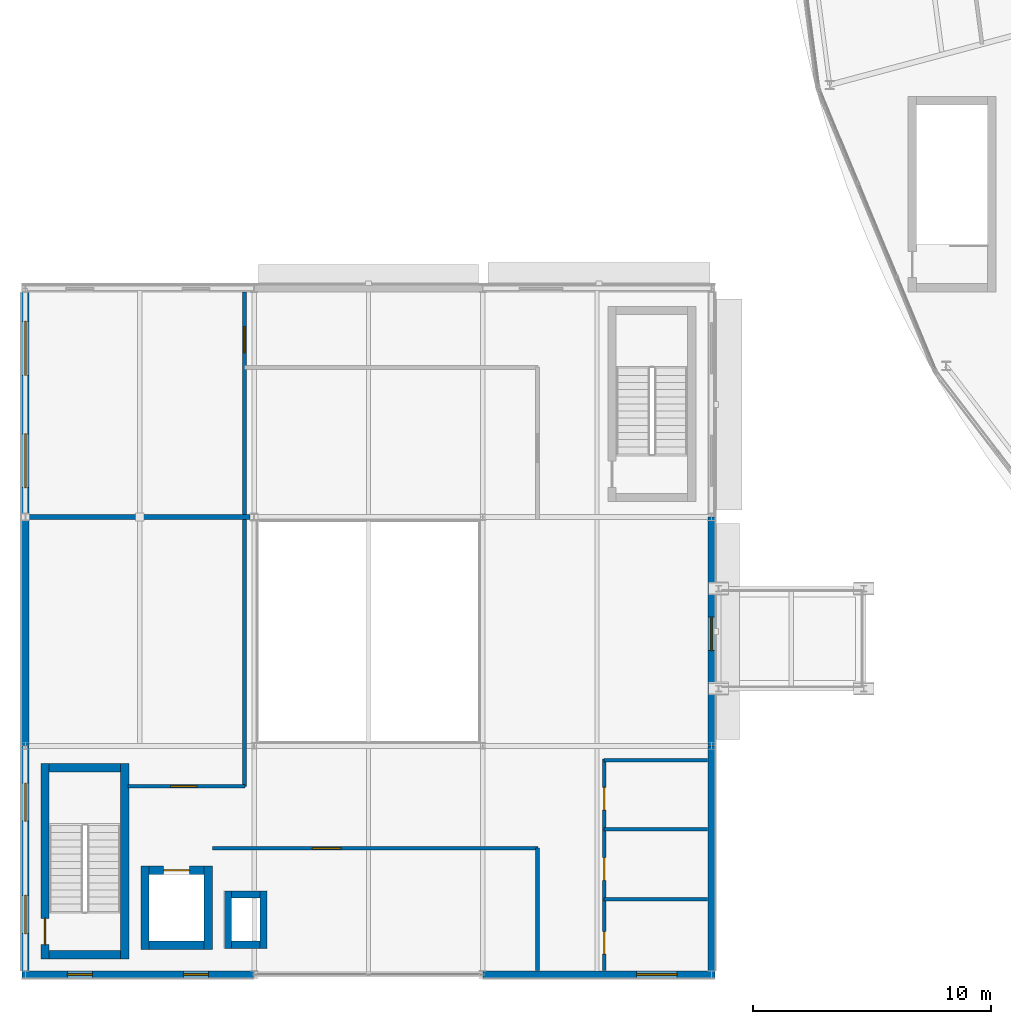
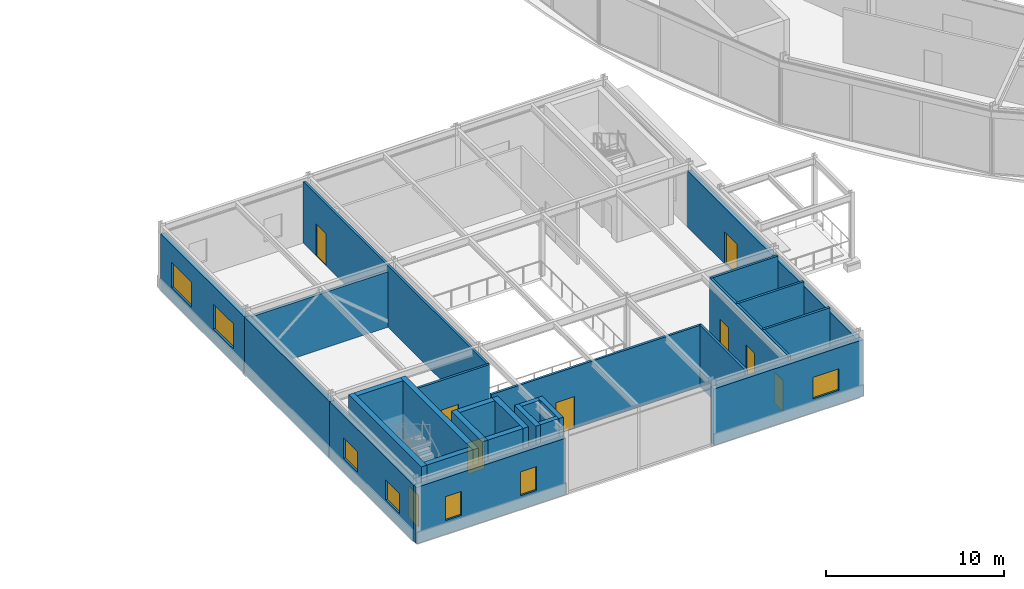
# One storey, part 116 of 157: 28 walls, 9 doors, 7 windows, 16 openings.
"""IFC4 building model written with IfcOpenShell, lengths in metres."""

import ifcopenshell
import ifcopenshell.guid

model = None  # the IFC model being written
_history = None  # IfcOwnerHistory: only IFC2X3 demands one
_inside = {}  # id of a spatial element -> (the spatial element, [elements in it])
_under = {}  # id of a project, library or spatial element -> (it, [spatial elements below it])
_declared = {}  # id of a project -> (the project, [libraries it declares])
_typed = {}  # id of a type object -> (the type object, [elements of that type])
_made_of = {}  # id of a material, layer set ... -> (it, [elements and type objects made of it])


def new_model(schema):
    """Start an empty IFC model of exactly this schema.

    Asked for "IFC4X3", IfcOpenShell would pick the latest addendum, in which some entities
    have other attributes; the version numbers below select the first issue.
    IFC2X3 requires an IfcOwnerHistory on every rooted entity: one is made here for all.
    """
    global model, _history
    if schema == "IFC4X3":
        model = ifcopenshell.file(schema_version=(4, 3, 0, 0))
    else:
        model = ifcopenshell.file(schema=schema)
    _inside.clear()
    _under.clear()
    _declared.clear()
    _typed.clear()
    _made_of.clear()
    _history = None
    if model.schema == "IFC2X3":
        org = make("IfcOrganization", Name="unknown")
        user = make(
            "IfcPersonAndOrganization",
            ThePerson=make("IfcPerson", FamilyName="unknown"),
            TheOrganization=org,
        )
        app = make(
            "IfcApplication",
            ApplicationDeveloper=org,
            Version="unknown",
            ApplicationFullName="unknown",
            ApplicationIdentifier="unknown",
        )
        _history = make(
            "IfcOwnerHistory",
            OwningUser=user,
            OwningApplication=app,
            ChangeAction="ADDED",
            CreationDate=0,
        )
    return model


def make(cls, **values):
    """One entity of the class cls with the attributes given. An attribute that is None is left unset."""
    return model.create_entity(
        cls, **{name: value for name, value in values.items() if value is not None}
    )


def rooted(cls, **values):
    """An entity with a GlobalId (a new one), such as an element, a storey or a relation."""
    return make(cls, GlobalId=ifcopenshell.guid.new(), OwnerHistory=_history, **values)


def si_unit(unit_type, name, prefix=None):
    """IfcSIUnit, for example si_unit("LENGTHUNIT", "METRE", prefix="MILLI")."""
    return make("IfcSIUnit", UnitType=unit_type, Prefix=prefix, Name=name)


def assignment(units):
    """IfcUnitAssignment: the units of a project."""
    return None if units is None else make("IfcUnitAssignment", Units=units)


def point(xyz):
    """IfcCartesianPoint."""
    return None if xyz is None else make("IfcCartesianPoint", Coordinates=xyz)


def direction(xyz):
    """IfcDirection."""
    return None if xyz is None else make("IfcDirection", DirectionRatios=xyz)


def frame(location, z_axis=None, x_axis=None):
    """IfcAxis2Placement3D, a coordinate frame: its origin and axes. An axis left out is left unset."""
    return make(
        "IfcAxis2Placement3D",
        Location=point(location),
        Axis=direction(z_axis),
        RefDirection=direction(x_axis),
    )


def frame_2d(location, x_axis=None):
    """IfcAxis2Placement2D, a coordinate frame in the plane: its origin and x axis."""
    return make(
        "IfcAxis2Placement2D", Location=point(location), RefDirection=direction(x_axis)
    )


def origin():
    """The frame at (0, 0, 0) with its axes left unset."""
    return frame((0.0, 0.0, 0.0))


def place(relative_to, where):
    """IfcLocalPlacement: puts the frame where relative to a parent placement (None: the world)."""
    return make(
        "IfcLocalPlacement", PlacementRelTo=relative_to, RelativePlacement=where
    )


def context(
    kind, dimensions, precision=None, world=None, true_north=None, identifier=None
):
    """IfcGeometricRepresentationContext, for example the 3D "Model" context."""
    return make(
        "IfcGeometricRepresentationContext",
        ContextIdentifier=identifier,
        ContextType=kind,
        CoordinateSpaceDimension=dimensions,
        Precision=precision,
        WorldCoordinateSystem=world,
        TrueNorth=true_north,
    )


def subcontext(parent, identifier, kind, view, scale=None):
    """IfcGeometricRepresentationSubContext, for example "Body" below "Model"."""
    return make(
        "IfcGeometricRepresentationSubContext",
        ContextIdentifier=identifier,
        ContextType=kind,
        ParentContext=parent,
        TargetScale=scale,
        TargetView=view,
    )


def project(units=None, contexts=None):
    """IfcProject with its units and contexts."""
    return rooted(
        "IfcProject",
        Name="project",
        RepresentationContexts=contexts,
        UnitsInContext=assignment(units),
    )


def spatial(cls, under=None, at=None, **own):
    """A site, building, storey or space (cls), placed at a placement, below another one or the project."""
    s = rooted(cls, ObjectPlacement=at, **own)
    if under is not None:
        _under.setdefault(under.id(), (under, []))[1].append(s)
    return s


def profile(cls, at=None, kind="AREA", **sizes):
    """A parametric profile (cls). Its sizes go by their IFC names, for example OverallWidth=200.0."""
    return make(cls, ProfileType=kind, Position=at, **sizes)


def rectangle(**sizes):
    """IfcRectangleProfileDef."""
    return profile("IfcRectangleProfileDef", **sizes)


def extrude(swept, where, along, depth):
    """IfcExtrudedAreaSolid: the profile swept, set in the frame where, extruded along a direction by depth."""
    return make(
        "IfcExtrudedAreaSolid",
        SweptArea=swept,
        Position=where,
        ExtrudedDirection=direction(along),
        Depth=depth,
    )


def shape(context_of_items, identifier, shape_type, items):
    """IfcShapeRepresentation: the items that make up one representation, for example the "Body"."""
    return make(
        "IfcShapeRepresentation",
        ContextOfItems=context_of_items,
        RepresentationIdentifier=identifier,
        RepresentationType=shape_type,
        Items=items,
    )


def material(Name=None, Category=None):
    """IfcMaterial."""
    return make("IfcMaterial", Name=Name, Category=Category)


def layer(
    of_material, thickness, ventilated=None, Name=None, Category=None, Priority=None
):
    """IfcMaterialLayer: one layer of a wall or slab, of a material (None: an air gap)."""
    return make(
        "IfcMaterialLayer",
        Material=of_material,
        LayerThickness=thickness,
        IsVentilated=ventilated,
        Name=Name,
        Category=Category,
        Priority=Priority,
    )


def layer_set(layers, Name=None):
    """IfcMaterialLayerSet."""
    return make("IfcMaterialLayerSet", MaterialLayers=layers, LayerSetName=Name)


def made_of(thing, what):
    """Note that an element or type object is made of a material, layer set ...; save() writes the relation."""
    if what is not None:
        _made_of.setdefault(what.id(), (what, []))[1].append(thing)
    return thing


def type_object(cls, material=None, **own):
    """A type object (cls), such as IfcWallType, which elements share."""
    return made_of(rooted(cls, **own), material)


def element(
    cls,
    number,
    at=None,
    inside=None,
    cuts=None,
    type_object=None,
    material=None,
    context=None,
    identifier="Body",
    shape_type=None,
    held_by="IfcProductDefinitionShape",
    body=None,
    shapes=None,
    **own,
):
    """One element of the class cls, such as IfcWall. Its Tag is "e" and its number.

    at: its placement. inside: the storey or other place that contains it. cuts: it is an
    opening in that element (IfcRelVoidsElement). A single representation is given by context,
    identifier, shape_type and body (its items); several are given by shapes. held_by: the class
    of the entity that holds the representations. save() writes the other relations.
    """
    e = rooted(cls, Tag="e%d" % number, ObjectPlacement=at, **own)
    if body is not None:
        shapes = [shape(context, identifier, shape_type, body)]
    if shapes is not None:
        e.Representation = make(held_by, Representations=shapes)
    if inside is not None:
        _inside.setdefault(inside.id(), (inside, []))[1].append(e)
    if cuts is not None:
        rooted(
            "IfcRelVoidsElement", RelatingBuildingElement=cuts, RelatedOpeningElement=e
        )
    if type_object is not None:
        _typed.setdefault(type_object.id(), (type_object, []))[1].append(e)
    return made_of(e, material)


def fill(opening, filler):
    """IfcRelFillsElement: the door or window that sits in an opening."""
    return rooted(
        "IfcRelFillsElement",
        RelatingOpeningElement=opening,
        RelatedBuildingElement=filler,
    )


def aggregate(whole, parts):
    """IfcRelAggregates: a whole, such as a stair, and the parts it consists of."""
    return rooted("IfcRelAggregates", RelatingObject=whole, RelatedObjects=parts)


def save(model, path):
    """Write the relations noted so far, then the file.

    IfcRelAggregates (storeys below a building ...), IfcRelContainedInSpatialStructure (elements
    in a storey), IfcRelDefinesByType, IfcRelAssociatesMaterial and IfcRelDeclares: one each for
    every whole, place, type object, material and project.
    """
    for whole, parts in _under.values():
        aggregate(whole, parts)
    for where, things in _inside.values():
        rooted(
            "IfcRelContainedInSpatialStructure",
            RelatedElements=things,
            RelatingStructure=where,
        )
    for kind, things in _typed.values():
        rooted("IfcRelDefinesByType", RelatedObjects=things, RelatingType=kind)
    for what, things in _made_of.values():
        rooted("IfcRelAssociatesMaterial", RelatedObjects=things, RelatingMaterial=what)
    for by, libraries in _declared.values():
        rooted("IfcRelDeclares", RelatingContext=by, RelatedDefinitions=libraries)
    model.write(path)


model = new_model("IFC4")

# Units and contexts
model_context = context("Model", 3, precision=1e-05, world=origin(), true_north=direction((0.0, 1.0)))
body_context = subcontext(model_context, "Body", "Model", "MODEL_VIEW")
ifc_project = project(units=[si_unit("LENGTHUNIT", "METRE"), si_unit("AREAUNIT", "SQUARE_METRE"), si_unit("VOLUMEUNIT", "CUBIC_METRE"), si_unit("PLANEANGLEUNIT", "RADIAN"), si_unit("MASSUNIT", "GRAM", prefix="KILO")], contexts=[model_context])

# Site, building, storey
site_placement = place(None, origin())
site = spatial("IfcSite", under=ifc_project, at=site_placement, CompositionType="ELEMENT")
building_placement = place(site_placement, origin())
building = spatial("IfcBuilding", under=site, at=building_placement, Name="Almandine Court Research Institute", CompositionType="ELEMENT")
storey_placement = place(building_placement, frame((0.0, 0.0, 5.25)))
storey = spatial("IfcBuildingStorey", under=building, at=storey_placement, Name="L01", CompositionType="ELEMENT", Elevation=5.25)

# Wall, openings, windows
ifc_material_1 = material(Name="Acoustic Lecture Pavilion Masonry Wall", Category="masonry")
ifc_layer_1 = layer(ifc_material_1, 0.31005859375)
ifc_layer_set_1 = layer_set([ifc_layer_1], Name="Acoustic Lecture Pavilion Masonry Wall")
wall_type_1 = type_object("IfcWallType", Name="Wall-EXT-ACOU-310", PredefinedType="SOLIDWALL", material=ifc_layer_set_1)
wall_1_placement = place(storey_placement, frame((6.0, 6.158935546875, 0.0), z_axis=(0.0, 0.0, 1.0), x_axis=(0.0, 1.0, 0.0)))
wall_1 = element("IfcWall", 1, at=wall_1_placement, inside=storey, type_object=wall_type_1, Name="L01 Lecture Pavilion West Acoustic Wall 1", PredefinedType="SOLIDWALL", context=body_context, shape_type="SweptSolid", body=[
    extrude(rectangle(XDim=9.43701171875, YDim=0.31005859375, at=frame_2d((4.718505859375, 0.0))), origin(), (0.0, 0.0, 1.0), 3.884033203125),
])
opening_1_placement = place(wall_1_placement, frame((1.55908203125, 0.0, 0.949951171875)))
opening_1 = element("IfcOpeningElement", 2, at=opening_1_placement, cuts=wall_1, Name="Opening WN-06", PredefinedType="OPENING", context=body_context, shape_type="SweptSolid", body=[
    extrude(rectangle(XDim=1.60009765625, YDim=1.39990234375, at=frame_2d((0.800048828125, 0.699951171875))), frame((0.0, 0.1650390625, 0.0), z_axis=(0.0, -1.0, 0.0), x_axis=(1.0, 0.0, 0.0)), (0.0, 0.0, 1.0), 0.330078125),
])
opening_2_placement = place(wall_1_placement, frame((6.278076171875, 0.0, 0.949951171875)))
opening_2 = element("IfcOpeningElement", 3, at=opening_2_placement, cuts=wall_1, Name="Opening WN-06", PredefinedType="OPENING", context=body_context, shape_type="SweptSolid", body=[
    extrude(rectangle(XDim=1.60009765625, YDim=1.39990234375, at=frame_2d((0.800048828125, 0.699951171875))), frame((0.0, 0.1650390625, 0.0), z_axis=(0.0, -1.0, 0.0), x_axis=(1.0, 0.0, 0.0)), (0.0, 0.0, 1.0), 0.330078125),
])
ifc_material_2 = material(Name="Thermally Broken Low-E Double-Glazed Window", Category="glass")
window_type_1 = type_object("IfcWindowType", Name="Win-WN-06-1600x1400", PartitioningType="SINGLE_PANEL", PredefinedType="WINDOW", material=ifc_material_2)
window_1_placement = place(opening_1_placement, origin())
window_1 = element("IfcWindow", 4, at=window_1_placement, inside=storey, type_object=window_type_1, Name="L01 Modular Recessed Low-E Window 10", OverallHeight=1.39990234375, OverallWidth=1.60009765625, PartitioningType="SINGLE_PANEL", PredefinedType="WINDOW", context=body_context, shape_type="SweptSolid", body=[
    extrude(rectangle(XDim=1.60009765625, YDim=1.39990234375, at=frame_2d((0.800048828125, 0.699951171875))), frame((0.0, 0.030029296875, 0.0), z_axis=(0.0, -1.0, 0.0), x_axis=(1.0, 0.0, 0.0)), (0.0, 0.0, 1.0), 0.06005859375),
])
fill(opening_1, window_1)
window_2_placement = place(opening_2_placement, origin())
window_2 = element("IfcWindow", 5, at=window_2_placement, inside=storey, type_object=window_type_1, Name="L01 Modular Recessed Low-E Window 11", OverallHeight=1.39990234375, OverallWidth=1.60009765625, PartitioningType="SINGLE_PANEL", PredefinedType="WINDOW", context=body_context, shape_type="SweptSolid", body=[
    extrude(rectangle(XDim=1.60009765625, YDim=1.39990234375, at=frame_2d((0.800048828125, 0.699951171875))), frame((0.0, 0.030029296875, 0.0), z_axis=(0.0, -1.0, 0.0), x_axis=(1.0, 0.0, 0.0)), (0.0, 0.0, 1.0), 0.06005859375),
])
fill(opening_2, window_2)

# Wall
wall_2_placement = place(storey_placement, frame((6.0, 15.60400390625, 0.0), z_axis=(0.0, 0.0, 1.0), x_axis=(0.0, 1.0, 0.0)))
element("IfcWall", 6, at=wall_2_placement, inside=storey, type_object=wall_type_1, Name="L01 Lecture Pavilion West Acoustic Wall 2", PredefinedType="SOLIDWALL", context=body_context, shape_type="SweptSolid", body=[
    extrude(rectangle(XDim=9.592041015625, YDim=0.31005859375, at=frame_2d((4.7958984375, 0.0))), origin(), (0.0, 0.0, 1.0), 3.884033203125),
])

# Wall, openings, windows
wall_3_placement = place(storey_placement, frame((6.0, 25.2041015625, 0.0), z_axis=(0.0, 0.0, 1.0), x_axis=(0.0, 1.0, 0.0)))
wall_3 = element("IfcWall", 7, at=wall_3_placement, inside=storey, type_object=wall_type_1, Name="L01 Lecture Pavilion West Acoustic Wall 3", PredefinedType="SOLIDWALL", context=body_context, shape_type="SweptSolid", body=[
    extrude(rectangle(XDim=9.43701171875, YDim=0.31005859375, at=frame_2d((4.718505859375, 0.0))), origin(), (0.0, 0.0, 1.0), 3.884033203125),
])
opening_3_placement = place(wall_3_placement, frame((1.22900390625, 0.0, 0.949951171875)))
opening_3 = element("IfcOpeningElement", 8, at=opening_3_placement, cuts=wall_3, Name="Opening WN-07", PredefinedType="OPENING", context=body_context, shape_type="SweptSolid", body=[
    extrude(rectangle(XDim=2.260009765625, YDim=1.719970703125, at=frame_2d((1.1298828125, 0.85986328125))), frame((0.0, 0.1650390625, 0.0), z_axis=(0.0, -1.0, 0.0), x_axis=(1.0, 0.0, 0.0)), (0.0, 0.0, 1.0), 0.330078125),
])
opening_4_placement = place(wall_3_placement, frame((5.947998046875, 0.0, 0.949951171875)))
opening_4 = element("IfcOpeningElement", 9, at=opening_4_placement, cuts=wall_3, Name="Opening WN-07", PredefinedType="OPENING", context=body_context, shape_type="SweptSolid", body=[
    extrude(rectangle(XDim=2.260009765625, YDim=1.719970703125, at=frame_2d((1.1298828125, 0.85986328125))), frame((0.0, 0.1650390625, 0.0), z_axis=(0.0, -1.0, 0.0), x_axis=(1.0, 0.0, 0.0)), (0.0, 0.0, 1.0), 0.330078125),
])
window_type_2 = type_object("IfcWindowType", Name="Win-WN-07-2260x1720", PartitioningType="SINGLE_PANEL", PredefinedType="WINDOW", material=ifc_material_2)
window_3_placement = place(opening_3_placement, origin())
window_3 = element("IfcWindow", 10, at=window_3_placement, inside=storey, type_object=window_type_2, Name="L01 Modular Recessed Low-E Window 12", OverallHeight=1.719970703125, OverallWidth=2.260009765625, PartitioningType="SINGLE_PANEL", PredefinedType="WINDOW", context=body_context, shape_type="SweptSolid", body=[
    extrude(rectangle(XDim=2.260009765625, YDim=1.719970703125, at=frame_2d((1.1298828125, 0.85986328125))), frame((0.0, 0.030029296875, 0.0), z_axis=(0.0, -1.0, 0.0), x_axis=(1.0, 0.0, 0.0)), (0.0, 0.0, 1.0), 0.06005859375),
])
fill(opening_3, window_3)
window_4_placement = place(opening_4_placement, origin())
window_4 = element("IfcWindow", 11, at=window_4_placement, inside=storey, type_object=window_type_2, Name="L01 Modular Recessed Low-E Window 13", OverallHeight=1.719970703125, OverallWidth=2.260009765625, PartitioningType="SINGLE_PANEL", PredefinedType="WINDOW", context=body_context, shape_type="SweptSolid", body=[
    extrude(rectangle(XDim=2.260009765625, YDim=1.719970703125, at=frame_2d((1.1298828125, 0.85986328125))), frame((0.0, 0.030029296875, 0.0), z_axis=(0.0, -1.0, 0.0), x_axis=(1.0, 0.0, 0.0)), (0.0, 0.0, 1.0), 0.06005859375),
])
fill(opening_4, window_4)

# Wall
ifc_material_3 = material(Name="Insulated Ochre Terracotta Rainscreen Wall", Category="masonry")
ifc_layer_2 = layer(ifc_material_3, 0.2900390625)
ifc_layer_set_2 = layer_set([ifc_layer_2], Name="Insulated Ochre Terracotta Rainscreen Wall")
wall_type_2 = type_object("IfcWallType", Name="Wall-EXT-TERR-290", PredefinedType="SOLIDWALL", material=ifc_layer_set_2)
wall_4_placement = place(storey_placement, frame((34.800048828125, 15.595947265625, 0.0), z_axis=(0.0, 0.0, 1.0), x_axis=(0.0, -1.0, 0.0)))
element("IfcWall", 12, at=wall_4_placement, inside=storey, type_object=wall_type_2, Name="L01 Lecture Pavilion East Wall 1", PredefinedType="SOLIDWALL", context=body_context, shape_type="SweptSolid", body=[
    extrude(rectangle(XDim=9.447021484375, YDim=0.2900390625, at=frame_2d((4.7236328125, 0.0))), origin(), (0.0, 0.0, 1.0), 3.884033203125),
])

# Wall, opening, door
wall_5_placement = place(storey_placement, frame((34.800048828125, 25.196044921875, 0.0), z_axis=(0.0, 0.0, 1.0), x_axis=(0.0, -1.0, 0.0)))
wall_5 = element("IfcWall", 13, at=wall_5_placement, inside=storey, type_object=wall_type_2, Name="L01 Lecture Pavilion East Wall 2", PredefinedType="SOLIDWALL", context=body_context, shape_type="SweptSolid", body=[
    extrude(rectangle(XDim=9.592041015625, YDim=0.2900390625, at=frame_2d((4.7958984375, 0.0))), origin(), (0.0, 0.0, 1.0), 3.862060546875),
])
opening_5_placement = place(wall_5_placement, frame((4.199951171875, 0.0, 0.0)))
opening_5 = element("IfcOpeningElement", 14, at=opening_5_placement, cuts=wall_5, Name="Opening TD-01", PredefinedType="OPENING", context=body_context, shape_type="SweptSolid", body=[
    extrude(rectangle(XDim=1.39990234375, YDim=2.199951171875, at=frame_2d((0.699951171875, 1.10009765625))), frame((0.0, 0.155029296875, 0.0), z_axis=(0.0, -1.0, 0.0), x_axis=(1.0, 0.0, 0.0)), (0.0, 0.0, 1.0), 0.31005859375),
])
ifc_material_4 = material(Name="Thermally Broken Glazed Terrace Door")
door_type_1 = type_object("IfcDoorType", Name="Door-TER-1400", OperationType="DOUBLE_DOOR_SINGLE_SWING", PredefinedType="DOOR", material=ifc_material_4)
door_1_placement = place(opening_5_placement, origin())
door_1 = element("IfcDoor", 15, at=door_1_placement, inside=storey, type_object=door_type_1, Name="L01 Southwest Dalan Bridge Door", OperationType="DOUBLE_DOOR_SINGLE_SWING", OverallHeight=2.199951171875, OverallWidth=1.39990234375, PredefinedType="DOOR", context=body_context, shape_type="SweptSolid", body=[
    extrude(rectangle(XDim=1.39990234375, YDim=2.199951171875, at=frame_2d((0.699951171875, 1.10009765625))), frame((0.0, 0.02490234375, 0.0), z_axis=(0.0, -1.0, 0.0), x_axis=(1.0, 0.0, 0.0)), (0.0, 0.0, 1.0), 0.050048828125),
])
fill(opening_5, door_1)

# Wall, openings, windows
wall_6_placement = place(storey_placement, frame((15.595947265625, 6.0, 0.0), z_axis=(0.0, 0.0, 1.0), x_axis=(-1.0, 0.0, 0.0)))
wall_6 = element("IfcWall", 16, at=wall_6_placement, inside=storey, type_object=wall_type_2, Name="L01 Lecture Pavilion South Boulevard Wall 1", PredefinedType="SOLIDWALL", context=body_context, shape_type="SweptSolid", body=[
    extrude(rectangle(XDim=9.740966796875, YDim=0.2900390625, at=frame_2d((4.87060546875, 0.0))), origin(), (0.0, 0.0, 1.0), 3.884033203125),
])
opening_6_placement = place(wall_6_placement, frame((1.909912109375, 0.0, 0.949951171875)))
opening_6 = element("IfcOpeningElement", 17, at=opening_6_placement, cuts=wall_6, Name="Opening WN-11", PredefinedType="OPENING", context=body_context, shape_type="SweptSolid", body=[
    extrude(rectangle(XDim=1.050048828125, YDim=1.639892578125, at=frame_2d((0.52490234375, 0.81982421875))), frame((0.0, 0.155029296875, 0.0), z_axis=(0.0, -1.0, 0.0), x_axis=(1.0, 0.0, 0.0)), (0.0, 0.0, 1.0), 0.31005859375),
])
opening_7_placement = place(wall_6_placement, frame((6.781005859375, 0.0, 0.949951171875)))
opening_7 = element("IfcOpeningElement", 18, at=opening_7_placement, cuts=wall_6, Name="Opening WN-11", PredefinedType="OPENING", context=body_context, shape_type="SweptSolid", body=[
    extrude(rectangle(XDim=1.050048828125, YDim=1.639892578125, at=frame_2d((0.52490234375, 0.81982421875))), frame((0.0, 0.155029296875, 0.0), z_axis=(0.0, -1.0, 0.0), x_axis=(1.0, 0.0, 0.0)), (0.0, 0.0, 1.0), 0.31005859375),
])
window_type_3 = type_object("IfcWindowType", Name="Win-WN-11-1050x1640", PartitioningType="SINGLE_PANEL", PredefinedType="WINDOW", material=ifc_material_2)
window_5_placement = place(opening_6_placement, origin())
window_5 = element("IfcWindow", 19, at=window_5_placement, inside=storey, type_object=window_type_3, Name="L01 Modular Recessed Low-E Window 19", OverallHeight=1.639892578125, OverallWidth=1.050048828125, PartitioningType="SINGLE_PANEL", PredefinedType="WINDOW", context=body_context, shape_type="SweptSolid", body=[
    extrude(rectangle(XDim=1.050048828125, YDim=1.639892578125, at=frame_2d((0.52490234375, 0.81982421875))), frame((0.0, 0.030029296875, 0.0), z_axis=(0.0, -1.0, 0.0), x_axis=(1.0, 0.0, 0.0)), (0.0, 0.0, 1.0), 0.06005859375),
])
fill(opening_6, window_5)
window_6_placement = place(opening_7_placement, origin())
window_6 = element("IfcWindow", 20, at=window_6_placement, inside=storey, type_object=window_type_3, Name="L01 Modular Recessed Low-E Window 20", OverallHeight=1.639892578125, OverallWidth=1.050048828125, PartitioningType="SINGLE_PANEL", PredefinedType="WINDOW", context=body_context, shape_type="SweptSolid", body=[
    extrude(rectangle(XDim=1.050048828125, YDim=1.639892578125, at=frame_2d((0.52490234375, 0.81982421875))), frame((0.0, 0.030029296875, 0.0), z_axis=(0.0, -1.0, 0.0), x_axis=(1.0, 0.0, 0.0)), (0.0, 0.0, 1.0), 0.06005859375),
])
fill(opening_7, window_6)

# Wall, opening, window
wall_7_placement = place(storey_placement, frame((34.945068359375, 6.0, 0.0), z_axis=(0.0, 0.0, 1.0), x_axis=(-1.0, 0.0, 0.0)))
wall_7 = element("IfcWall", 21, at=wall_7_placement, inside=storey, type_object=wall_type_2, Name="L01 Lecture Pavilion South Boulevard Wall 3", PredefinedType="SOLIDWALL", context=body_context, shape_type="SweptSolid", body=[
    extrude(rectangle(XDim=9.740966796875, YDim=0.2900390625, at=frame_2d((4.87060546875, 0.0))), origin(), (0.0, 0.0, 1.0), 3.884033203125),
])
opening_8_placement = place(wall_7_placement, frame((1.580078125, 0.0, 0.949951171875)))
opening_8 = element("IfcOpeningElement", 22, at=opening_8_placement, cuts=wall_7, Name="Opening WN-12", PredefinedType="OPENING", context=body_context, shape_type="SweptSolid", body=[
    extrude(rectangle(XDim=1.7099609375, YDim=1.47998046875, at=frame_2d((0.85498046875, 0.739990234375))), frame((0.0, 0.155029296875, 0.0), z_axis=(0.0, -1.0, 0.0), x_axis=(1.0, 0.0, 0.0)), (0.0, 0.0, 1.0), 0.31005859375),
])
window_type_4 = type_object("IfcWindowType", Name="Win-WN-12-1710x1480", PartitioningType="SINGLE_PANEL", PredefinedType="WINDOW", material=ifc_material_2)
window_7_placement = place(opening_8_placement, origin())
window_7 = element("IfcWindow", 23, at=window_7_placement, inside=storey, type_object=window_type_4, Name="L01 Modular Recessed Low-E Window 21", OverallHeight=1.47998046875, OverallWidth=1.7099609375, PartitioningType="SINGLE_PANEL", PredefinedType="WINDOW", context=body_context, shape_type="SweptSolid", body=[
    extrude(rectangle(XDim=1.7099609375, YDim=1.47998046875, at=frame_2d((0.85498046875, 0.739990234375))), frame((0.0, 0.030029296875, 0.0), z_axis=(0.0, -1.0, 0.0), x_axis=(1.0, 0.0, 0.0)), (0.0, 0.0, 1.0), 0.06005859375),
])
fill(opening_8, window_7)

# Walls
ifc_material_5 = material(Name="Two-Hour Fire-Barrier Enclosure Wall")
ifc_layer_3 = layer(ifc_material_5, 0.199951171875)
ifc_layer_set_3 = layer_set([ifc_layer_3], Name="Two-Hour Fire-Barrier Enclosure Wall")
wall_type_3 = type_object("IfcWallType", Name="Wall-FIRE-200", PredefinedType="SOLIDWALL", material=ifc_layer_set_3)
wall_8_placement = place(storey_placement, frame((6.159912109375, 25.199951171875, 0.0), z_axis=(0.0, 0.0, 1.0), x_axis=(1.0, 0.0, 0.0)))
element("IfcWall", 24, at=wall_8_placement, inside=storey, type_object=wall_type_3, Name="L01 Interior Partition W-BF-V1-BF1-L01", PredefinedType="SOLIDWALL", context=body_context, shape_type="SweptSolid", body=[
    extrude(rectangle(XDim=9.280029296875, YDim=0.199951171875, at=frame_2d((4.64013671875, 0.0))), origin(), (0.0, 0.0, 1.0), 3.81494140625),
])
ifc_material_6 = material(Name="Acoustic Steel-Stud Gypsum Partition Wall", Category="steel")
ifc_layer_4 = layer(ifc_material_6, 0.14990234375)
ifc_layer_set_4 = layer_set([ifc_layer_4], Name="Acoustic Steel-Stud Gypsum Partition Wall")
wall_type_4 = type_object("IfcWallType", Name="Wall-PART-150", PredefinedType="PARTITIONING", material=ifc_layer_set_4)
for number, where, z_axis, x_axis, name in (
    (25, (30.300048828125, 9.14990234375, 0.0), (0.0, 0.0, 1.0), (1.0, 0.0, 0.0), "L01 Interior Partition W-V1-L01-WCH-1"),
    (26, (30.300048828125, 12.10009765625, 0.0), (0.0, 0.0, 1.0), (1.0, 0.0, 0.0), "L01 Interior Partition W-V1-L01-WCH-2"),
    (27, (30.300048828125, 15.0, 0.0), (0.0, 0.0, 1.0), (1.0, 0.0, 0.0), "L01 Interior Partition W-V1-L01-WCH-3"),
):
    element("IfcWall", number, at=place(storey_placement, frame(where, z_axis=z_axis, x_axis=x_axis)), inside=storey, type_object=wall_type_4, Name=name, PredefinedType="PARTITIONING", context=body_context, shape_type="SweptSolid", body=[
        extrude(rectangle(XDim=4.33984375, YDim=0.14990234375, at=frame_2d((2.169921875, 0.0))), origin(), (0.0, 0.0, 1.0), 4.22998046875),
    ])

# Wall, openings, doors
wall_9_placement = place(storey_placement, frame((30.300048828125, 6.159912109375, 0.0), z_axis=(0.0, 0.0, 1.0), x_axis=(0.0, 1.0, 0.0)))
wall_9 = element("IfcWall", 28, at=wall_9_placement, inside=storey, type_object=wall_type_4, Name="L01 Interior Partition W-V1-L01-WC-ALL", PredefinedType="PARTITIONING", context=body_context, shape_type="SweptSolid", body=[
    extrude(rectangle(XDim=8.89013671875, YDim=0.14990234375, at=frame_2d((4.445068359375, 0.0))), origin(), (0.0, 0.0, 1.0), 4.22998046875),
])
opening_9_placement = place(wall_9_placement, frame((0.68994140625, 0.0, 0.0)))
opening_9 = element("IfcOpeningElement", 29, at=opening_9_placement, cuts=wall_9, Name="Opening D-01", PredefinedType="OPENING", context=body_context, shape_type="SweptSolid", body=[
    extrude(rectangle(XDim=0.949951171875, YDim=2.10009765625, at=frame_2d((0.47509765625, 1.050048828125))), frame((0.0, 0.0849609375, 0.0), z_axis=(0.0, -1.0, 0.0), x_axis=(1.0, 0.0, 0.0)), (0.0, 0.0, 1.0), 0.169921875),
])
opening_10_placement = place(wall_9_placement, frame((3.7900390625, 0.0, 0.0)))
opening_10 = element("IfcOpeningElement", 30, at=opening_10_placement, cuts=wall_9, Name="Opening D-01", PredefinedType="OPENING", context=body_context, shape_type="SweptSolid", body=[
    extrude(rectangle(XDim=0.949951171875, YDim=2.10009765625, at=frame_2d((0.47509765625, 1.050048828125))), frame((0.0, 0.0849609375, 0.0), z_axis=(0.0, -1.0, 0.0), x_axis=(1.0, 0.0, 0.0)), (0.0, 0.0, 1.0), 0.169921875),
])
opening_11_placement = place(wall_9_placement, frame((6.739990234375, 0.0, 0.0)))
opening_11 = element("IfcOpeningElement", 31, at=opening_11_placement, cuts=wall_9, Name="Opening D-01", PredefinedType="OPENING", context=body_context, shape_type="SweptSolid", body=[
    extrude(rectangle(XDim=0.949951171875, YDim=2.10009765625, at=frame_2d((0.47509765625, 1.050048828125))), frame((0.0, 0.0849609375, 0.0), z_axis=(0.0, -1.0, 0.0), x_axis=(1.0, 0.0, 0.0)), (0.0, 0.0, 1.0), 0.169921875),
])
ifc_material_7 = material(Name="Solid-Core Timber Acoustic Room Door", Category="wood")
door_type_2 = type_object("IfcDoorType", Name="Door-INT-950", OperationType="NOTDEFINED", PredefinedType="DOOR", material=ifc_material_7)
door_2_placement = place(opening_9_placement, origin())
door_2 = element("IfcDoor", 32, at=door_2_placement, inside=storey, type_object=door_type_2, Name="L01 V1 Male Toilet Door", OperationType="SINGLE_SWING_RIGHT", OverallHeight=2.10009765625, OverallWidth=0.949951171875, PredefinedType="DOOR", context=body_context, shape_type="SweptSolid", body=[
    extrude(rectangle(XDim=0.949951171875, YDim=2.10009765625, at=frame_2d((0.47509765625, 1.050048828125))), frame((0.0, 0.02490234375, 0.0), z_axis=(0.0, -1.0, 0.0), x_axis=(1.0, 0.0, 0.0)), (0.0, 0.0, 1.0), 0.050048828125),
])
fill(opening_9, door_2)
door_3_placement = place(opening_10_placement, origin())
door_3 = element("IfcDoor", 33, at=door_3_placement, inside=storey, type_object=door_type_2, Name="L01 V1 Female Toilet Door", OperationType="SINGLE_SWING_LEFT", OverallHeight=2.10009765625, OverallWidth=0.949951171875, PredefinedType="DOOR", context=body_context, shape_type="SweptSolid", body=[
    extrude(rectangle(XDim=0.949951171875, YDim=2.10009765625, at=frame_2d((0.47509765625, 1.050048828125))), frame((0.0, 0.02490234375, 0.0), z_axis=(0.0, -1.0, 0.0), x_axis=(1.0, 0.0, 0.0)), (0.0, 0.0, 1.0), 0.050048828125),
])
fill(opening_10, door_3)
door_4_placement = place(opening_11_placement, origin())
door_4 = element("IfcDoor", 34, at=door_4_placement, inside=storey, type_object=door_type_2, Name="L01 V1 Accessible WC Door", OperationType="SINGLE_SWING_RIGHT", OverallHeight=2.10009765625, OverallWidth=0.949951171875, PredefinedType="DOOR", context=body_context, shape_type="SweptSolid", body=[
    extrude(rectangle(XDim=0.949951171875, YDim=2.10009765625, at=frame_2d((0.47509765625, 1.050048828125))), frame((0.0, 0.02490234375, 0.0), z_axis=(0.0, -1.0, 0.0), x_axis=(1.0, 0.0, 0.0)), (0.0, 0.0, 1.0), 0.050048828125),
])
fill(opening_11, door_4)

# Wall, opening, door
wall_10_placement = place(storey_placement, frame((13.85009765625, 11.300048828125, 0.0), z_axis=(0.0, 0.0, 1.0), x_axis=(1.0, 0.0, 0.0)))
wall_10 = element("IfcWall", 35, at=wall_10_placement, inside=storey, type_object=wall_type_4, Name="L01 Interior Partition W-V1-L01-LNG", PredefinedType="PARTITIONING", context=body_context, shape_type="SweptSolid", body=[
    extrude(rectangle(XDim=13.669921875, YDim=0.14990234375, at=frame_2d((6.8349609375, 0.0))), origin(), (0.0, 0.0, 1.0), 4.22998046875),
])
opening_12_placement = place(wall_10_placement, frame((4.199951171875, 0.0, 0.0)))
opening_12 = element("IfcOpeningElement", 36, at=opening_12_placement, cuts=wall_10, Name="Opening D-04", PredefinedType="OPENING", context=body_context, shape_type="SweptSolid", body=[
    extrude(rectangle(XDim=1.199951171875, YDim=2.199951171875, at=frame_2d((0.60009765625, 1.10009765625))), frame((0.0, 0.0849609375, 0.0), z_axis=(0.0, -1.0, 0.0), x_axis=(1.0, 0.0, 0.0)), (0.0, 0.0, 1.0), 0.169921875),
])
ifc_material_8 = material(Name="Wide Acoustic Laboratory Suite Door")
door_type_3 = type_object("IfcDoorType", Name="Door-INT-1200", OperationType="NOTDEFINED", PredefinedType="DOOR", material=ifc_material_8)
door_5_placement = place(opening_12_placement, origin())
door_5 = element("IfcDoor", 37, at=door_5_placement, inside=storey, type_object=door_type_3, Name="L01 Academic Lounge Door", OperationType="SINGLE_SWING_LEFT", OverallHeight=2.199951171875, OverallWidth=1.199951171875, PredefinedType="DOOR", context=body_context, shape_type="SweptSolid", body=[
    extrude(rectangle(XDim=1.199951171875, YDim=2.199951171875, at=frame_2d((0.60009765625, 1.10009765625))), frame((0.0, 0.02490234375, 0.0), z_axis=(0.0, -1.0, 0.0), x_axis=(1.0, 0.0, 0.0)), (0.0, 0.0, 1.0), 0.050048828125),
])
fill(opening_12, door_5)

# Wall
wall_11_placement = place(storey_placement, frame((27.5, 6.159912109375, 0.0), z_axis=(0.0, 0.0, 1.0), x_axis=(0.0, 1.0, 0.0)))
element("IfcWall", 38, at=wall_11_placement, inside=storey, type_object=wall_type_4, Name="L01 Interior Partition W-V1-L01-LNGE", PredefinedType="PARTITIONING", context=body_context, shape_type="SweptSolid", body=[
    extrude(rectangle(XDim=5.14013671875, YDim=0.14990234375, at=frame_2d((2.570068359375, 0.0))), origin(), (0.0, 0.0, 1.0), 4.22998046875),
])

# Wall, opening, door
wall_12_placement = place(storey_placement, frame((15.199951171875, 13.89990234375, 0.0), z_axis=(0.0, 0.0, 1.0), x_axis=(0.0, 1.0, 0.0)))
wall_12 = element("IfcWall", 39, at=wall_12_placement, inside=storey, type_object=wall_type_4, Name="L01 Interior Partition W-V1-L01-SEM1", PredefinedType="PARTITIONING", context=body_context, shape_type="SweptSolid", body=[
    extrude(rectangle(XDim=20.739990234375, YDim=0.14990234375, at=frame_2d((10.3701171875, 0.0))), origin(), (0.0, 0.0, 1.0), 4.22998046875),
])
opening_13_placement = place(wall_12_placement, frame((18.199951171875, 0.0, 0.0)))
opening_13 = element("IfcOpeningElement", 40, at=opening_13_placement, cuts=wall_12, Name="Opening D-03", PredefinedType="OPENING", context=body_context, shape_type="SweptSolid", body=[
    extrude(rectangle(XDim=1.10009765625, YDim=2.199951171875, at=frame_2d((0.550048828125, 1.10009765625))), frame((0.0, 0.0849609375, 0.0), z_axis=(0.0, -1.0, 0.0), x_axis=(1.0, 0.0, 0.0)), (0.0, 0.0, 1.0), 0.169921875),
])
ifc_material_9 = material(Name="Acoustic Vision-Panel Seminar Door")
door_type_4 = type_object("IfcDoorType", Name="Door-INT-1100", OperationType="NOTDEFINED", PredefinedType="DOOR", material=ifc_material_9)
door_6_placement = place(opening_13_placement, origin())
door_6 = element("IfcDoor", 41, at=door_6_placement, inside=storey, type_object=door_type_4, Name="L01 Colloquium Suite Door", OperationType="SINGLE_SWING_LEFT", OverallHeight=2.199951171875, OverallWidth=1.10009765625, PredefinedType="DOOR", context=body_context, shape_type="SweptSolid", body=[
    extrude(rectangle(XDim=1.10009765625, YDim=2.199951171875, at=frame_2d((0.550048828125, 1.10009765625))), frame((0.0, 0.02490234375, 0.0), z_axis=(0.0, -1.0, 0.0), x_axis=(1.0, 0.0, 0.0)), (0.0, 0.0, 1.0), 0.050048828125),
])
fill(opening_13, door_6)

wall_13_placement = place(storey_placement, frame((10.300048828125, 13.89990234375, 0.0), z_axis=(0.0, 0.0, 1.0), x_axis=(1.0, 0.0, 0.0)))
wall_13 = element("IfcWall", 42, at=wall_13_placement, inside=storey, type_object=wall_type_4, Name="L01 Interior Partition W-V1-L01-SEMS", PredefinedType="PARTITIONING", context=body_context, shape_type="SweptSolid", body=[
    extrude(rectangle(XDim=4.919921875, YDim=0.14990234375, at=frame_2d((2.4599609375, 0.0))), origin(), (0.0, 0.0, 1.0), 4.22998046875),
])
opening_14_placement = place(wall_13_placement, frame((1.800048828125, 0.0, 0.0)))
opening_14 = element("IfcOpeningElement", 43, at=opening_14_placement, cuts=wall_13, Name="Opening D-03", PredefinedType="OPENING", context=body_context, shape_type="SweptSolid", body=[
    extrude(rectangle(XDim=1.10009765625, YDim=2.199951171875, at=frame_2d((0.550048828125, 1.10009765625))), frame((0.0, 0.0849609375, 0.0), z_axis=(0.0, -1.0, 0.0), x_axis=(1.0, 0.0, 0.0)), (0.0, 0.0, 1.0), 0.169921875),
])
door_7_placement = place(opening_14_placement, origin())
door_7 = element("IfcDoor", 44, at=door_7_placement, inside=storey, type_object=door_type_4, Name="L01 Seminar Room Door", OperationType="SINGLE_SWING_RIGHT", OverallHeight=2.199951171875, OverallWidth=1.10009765625, PredefinedType="DOOR", context=body_context, shape_type="SweptSolid", body=[
    extrude(rectangle(XDim=1.10009765625, YDim=2.199951171875, at=frame_2d((0.550048828125, 1.10009765625))), frame((0.0, 0.02490234375, 0.0), z_axis=(0.0, -1.0, 0.0), x_axis=(1.0, 0.0, 0.0)), (0.0, 0.0, 1.0), 0.050048828125),
])
fill(opening_14, door_7)

# Walls
ifc_material_10 = material(Name="Concrete C40/50", Category="concrete")
ifc_layer_5 = layer(ifc_material_10, 0.300048828125)
ifc_layer_set_5 = layer_set([ifc_layer_5], Name="Concrete C40/50")
wall_type_5 = type_object("IfcWallType", Name="Wall-SW-CORE-300", PredefinedType="SHEAR", material=ifc_layer_set_5)
wall_14_placement = place(storey_placement, frame((14.5, 7.10009765625, 0.0), z_axis=(0.0, 0.0, 1.0), x_axis=(0.0, 1.0, 0.0)))
element("IfcWall", 45, at=wall_14_placement, inside=storey, type_object=wall_type_5, Name="L01 MEP Riser RS-V1 W Shear Wall", PredefinedType="SHEAR", context=body_context, shape_type="SweptSolid", body=[
    extrude(rectangle(XDim=2.39990234375, YDim=0.300048828125, at=frame_2d((1.199951171875, 0.0))), origin(), (0.0, 0.0, 1.0), 4.3701171875),
])
wall_15_placement = place(storey_placement, frame((14.64990234375, 9.35009765625, 0.0), z_axis=(0.0, 0.0, 1.0), x_axis=(1.0, 0.0, 0.0)))
element("IfcWall", 46, at=wall_15_placement, inside=storey, type_object=wall_type_5, Name="L01 MEP Riser RS-V1 N Shear Wall", PredefinedType="SHEAR", context=body_context, shape_type="SweptSolid", body=[
    extrude(rectangle(XDim=1.2001953125, YDim=0.300048828125, at=frame_2d((0.60009765625, 0.0))), origin(), (0.0, 0.0, 1.0), 4.3701171875),
])
wall_16_placement = place(storey_placement, frame((16.0, 9.5, 0.0), z_axis=(0.0, 0.0, 1.0), x_axis=(0.0, -1.0, 0.0)))
element("IfcWall", 47, at=wall_16_placement, inside=storey, type_object=wall_type_5, Name="L01 MEP Riser RS-V1 E Shear Wall", PredefinedType="SHEAR", context=body_context, shape_type="SweptSolid", body=[
    extrude(rectangle(XDim=2.39990234375, YDim=0.300048828125, at=frame_2d((1.199951171875, 0.0))), origin(), (0.0, 0.0, 1.0), 4.3701171875),
])
wall_17_placement = place(storey_placement, frame((15.85009765625, 7.25, 0.0), z_axis=(0.0, 0.0, 1.0), x_axis=(-1.0, 0.0, 0.0)))
element("IfcWall", 48, at=wall_17_placement, inside=storey, type_object=wall_type_5, Name="L01 MEP Riser RS-V1 S Shear Wall", PredefinedType="SHEAR", context=body_context, shape_type="SweptSolid", body=[
    extrude(rectangle(XDim=1.2001953125, YDim=0.300048828125, at=frame_2d((0.60009765625, 0.0))), origin(), (0.0, 0.0, 1.0), 4.3701171875),
])

# Wall, opening, door
ifc_layer_6 = layer(ifc_material_10, 0.35009765625)
ifc_layer_set_6 = layer_set([ifc_layer_6], Name="Concrete C40/50")
wall_type_6 = type_object("IfcWallType", Name="Wall-SW-CORE-350", PredefinedType="SHEAR", material=ifc_layer_set_6)
wall_18_placement = place(storey_placement, frame((6.824951171875, 6.64990234375, 0.0), z_axis=(0.0, 0.0, 1.0), x_axis=(0.0, 1.0, 0.0)))
wall_18 = element("IfcWall", 49, at=wall_18_placement, inside=storey, type_object=wall_type_6, Name="L01 ST-01 W Shear Wall", PredefinedType="SHEAR", context=body_context, shape_type="SweptSolid", body=[
    extrude(rectangle(XDim=8.2001953125, YDim=0.35009765625, at=frame_2d((4.10009765625, 0.0))), origin(), (0.0, 0.0, 1.0), 4.550048828125),
])
opening_15_placement = place(wall_18_placement, frame((0.60009765625, 0.0, 0.0)))
opening_15 = element("IfcOpeningElement", 50, at=opening_15_placement, cuts=wall_18, Name="Opening FD-STAIR", PredefinedType="OPENING", context=body_context, shape_type="SweptSolid", body=[
    extrude(rectangle(XDim=1.10009765625, YDim=2.14990234375, at=frame_2d((0.550048828125, 1.074951171875))), frame((0.0, 0.18505859375, 0.0), z_axis=(0.0, -1.0, 0.0), x_axis=(1.0, 0.0, 0.0)), (0.0, 0.0, 1.0), 0.3701171875),
])
ifc_material_11 = material(Name="Self-Closing Steel Exit Stair Fire Door", Category="steel")
door_type_5 = type_object("IfcDoorType", Name="Door-FD-STAIR-1100", OperationType="NOTDEFINED", PredefinedType="DOOR", material=ifc_material_11)
door_8_placement = place(opening_15_placement, origin())
door_8 = element("IfcDoor", 51, at=door_8_placement, inside=storey, type_object=door_type_5, Name="L01 Exit Stair ST-01 Fire Door", OperationType="SINGLE_SWING_LEFT", OverallHeight=2.14990234375, OverallWidth=1.10009765625, PredefinedType="DOOR", context=body_context, shape_type="SweptSolid", body=[
    extrude(rectangle(XDim=1.10009765625, YDim=2.14990234375, at=frame_2d((0.550048828125, 1.074951171875))), frame((0.0, 0.02490234375, 0.0), z_axis=(0.0, -1.0, 0.0), x_axis=(1.0, 0.0, 0.0)), (0.0, 0.0, 1.0), 0.050048828125),
])
fill(opening_15, door_8)

# Walls
wall_19_placement = place(storey_placement, frame((7.0, 14.675048828125, 0.0), z_axis=(0.0, 0.0, 1.0), x_axis=(1.0, 0.0, 0.0)))
element("IfcWall", 52, at=wall_19_placement, inside=storey, type_object=wall_type_6, Name="L01 ST-01 N Shear Wall", PredefinedType="SHEAR", context=body_context, shape_type="SweptSolid", body=[
    extrude(rectangle(XDim=3.0, YDim=0.35009765625, at=frame_2d((1.5, 0.0))), origin(), (0.0, 0.0, 1.0), 4.550048828125),
])
wall_20_placement = place(storey_placement, frame((10.175048828125, 14.85009765625, 0.0), z_axis=(0.0, 0.0, 1.0), x_axis=(0.0, -1.0, 0.0)))
element("IfcWall", 53, at=wall_20_placement, inside=storey, type_object=wall_type_6, Name="L01 ST-01 E Shear Wall", PredefinedType="SHEAR", context=body_context, shape_type="SweptSolid", body=[
    extrude(rectangle(XDim=8.2001953125, YDim=0.35009765625, at=frame_2d((4.10009765625, 0.0))), origin(), (0.0, 0.0, 1.0), 4.550048828125),
])
wall_21_placement = place(storey_placement, frame((10.0, 6.824951171875, 0.0), z_axis=(0.0, 0.0, 1.0), x_axis=(-1.0, 0.0, 0.0)))
element("IfcWall", 54, at=wall_21_placement, inside=storey, type_object=wall_type_6, Name="L01 ST-01 S Shear Wall", PredefinedType="SHEAR", context=body_context, shape_type="SweptSolid", body=[
    extrude(rectangle(XDim=3.0, YDim=0.35009765625, at=frame_2d((1.5, 0.0))), origin(), (0.0, 0.0, 1.0), 4.550048828125),
])
wall_22_placement = place(storey_placement, frame((11.02490234375, 7.050048828125, 0.0), z_axis=(0.0, 0.0, 1.0), x_axis=(0.0, 1.0, 0.0)))
element("IfcWall", 55, at=wall_22_placement, inside=storey, type_object=wall_type_6, Name="L01 PL-01 Hoistway W Shear Wall", PredefinedType="SHEAR", context=body_context, shape_type="SweptSolid", body=[
    extrude(rectangle(XDim=3.5, YDim=0.35009765625, at=frame_2d((1.75, 0.0))), origin(), (0.0, 0.0, 1.0), 4.550048828125),
])

# Wall, opening, door
wall_23_placement = place(storey_placement, frame((11.199951171875, 10.375, 0.0), z_axis=(0.0, 0.0, 1.0), x_axis=(1.0, 0.0, 0.0)))
wall_23 = element("IfcWall", 56, at=wall_23_placement, inside=storey, type_object=wall_type_6, Name="L01 PL-01 Hoistway N Shear Wall", PredefinedType="SHEAR", context=body_context, shape_type="SweptSolid", body=[
    extrude(rectangle(XDim=2.300048828125, YDim=0.35009765625, at=frame_2d((1.14990234375, 0.0))), origin(), (0.0, 0.0, 1.0), 4.550048828125),
])
opening_16_placement = place(wall_23_placement, frame((0.60009765625, 0.0, 0.0)))
opening_16 = element("IfcOpeningElement", 57, at=opening_16_placement, cuts=wall_23, Name="Opening LD-01", PredefinedType="OPENING", context=body_context, shape_type="SweptSolid", body=[
    extrude(rectangle(XDim=1.10009765625, YDim=2.14990234375, at=frame_2d((0.550048828125, 1.074951171875))), frame((0.0, 0.18505859375, 0.0), z_axis=(0.0, -1.0, 0.0), x_axis=(1.0, 0.0, 0.0)), (0.0, 0.0, 1.0), 0.3701171875),
])
ifc_material_12 = material(Name="Stainless Steel Lift Landing Sliding Door", Category="steel")
door_type_6 = type_object("IfcDoorType", Name="Door-LD-PASS-1100", OperationType="SLIDING_TO_LEFT", PredefinedType="USERDEFINED", material=ifc_material_12)
door_9_placement = place(opening_16_placement, origin())
door_9 = element("IfcDoor", 58, at=door_9_placement, inside=storey, type_object=door_type_6, Name="L01 Lecture Pavilion Passenger Lift PL-01 Sliding Landing Door", ObjectType="LANDING DOOR", OperationType="SLIDING_TO_LEFT", OverallHeight=2.14990234375, OverallWidth=1.10009765625, PredefinedType="USERDEFINED", context=body_context, shape_type="SweptSolid", body=[
    extrude(rectangle(XDim=1.10009765625, YDim=2.14990234375, at=frame_2d((0.550048828125, 1.074951171875))), frame((0.0, 0.02490234375, 0.0), z_axis=(0.0, -1.0, 0.0), x_axis=(1.0, 0.0, 0.0)), (0.0, 0.0, 1.0), 0.050048828125),
])
fill(opening_16, door_9)

# Walls
wall_24_placement = place(storey_placement, frame((13.675048828125, 10.550048828125, 0.0), z_axis=(0.0, 0.0, 1.0), x_axis=(0.0, -1.0, 0.0)))
element("IfcWall", 59, at=wall_24_placement, inside=storey, type_object=wall_type_6, Name="L01 PL-01 Hoistway E Shear Wall", PredefinedType="SHEAR", context=body_context, shape_type="SweptSolid", body=[
    extrude(rectangle(XDim=3.5, YDim=0.35009765625, at=frame_2d((1.75, 0.0))), origin(), (0.0, 0.0, 1.0), 4.550048828125),
])
wall_25_placement = place(storey_placement, frame((13.5, 7.22509765625, 0.0), z_axis=(0.0, 0.0, 1.0), x_axis=(-1.0, 0.0, 0.0)))
element("IfcWall", 60, at=wall_25_placement, inside=storey, type_object=wall_type_6, Name="L01 PL-01 Hoistway S Shear Wall", PredefinedType="SHEAR", context=body_context, shape_type="SweptSolid", body=[
    extrude(rectangle(XDim=2.300048828125, YDim=0.35009765625, at=frame_2d((1.14990234375, 0.0))), origin(), (0.0, 0.0, 1.0), 4.550048828125),
])

save(model, "model.ifc")
